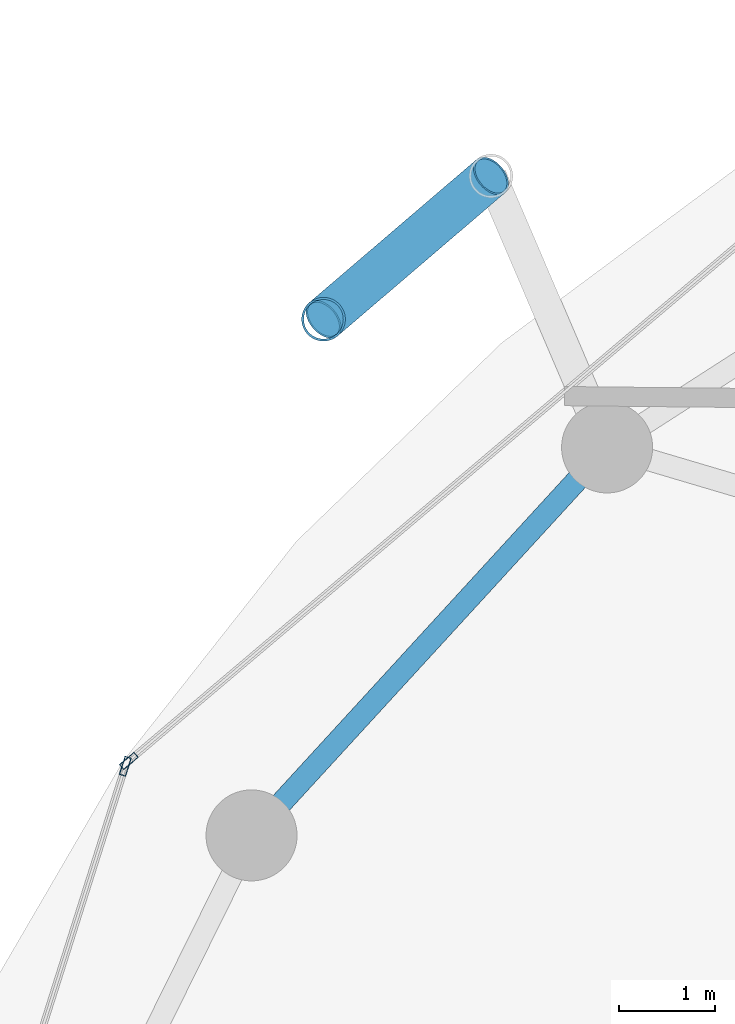
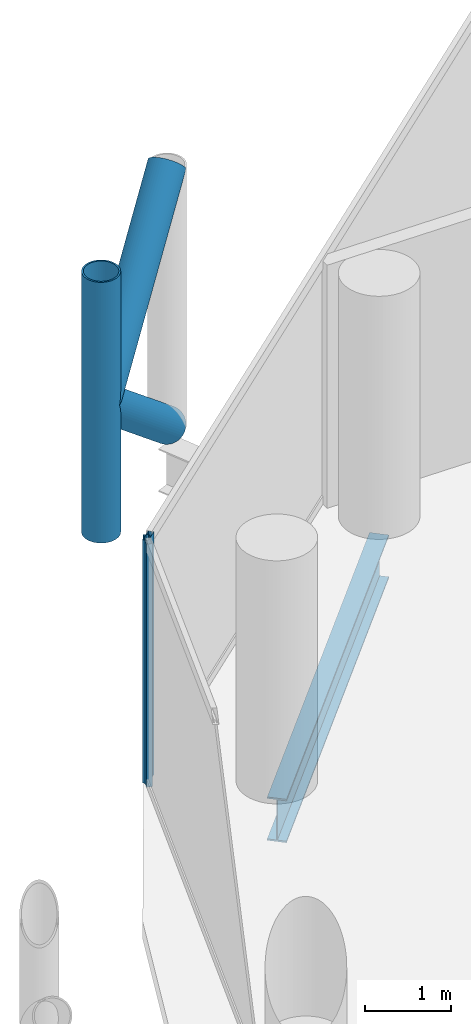
# One storey, part 13 of 26: 5 members, 1 beam, 2 elements without a shape of their own.
"""IFC4 building model written with IfcOpenShell, lengths in metres."""

from ifc_helpers import new_model, si_unit, direction, frame, origin, origin_2d, place, context, subcontext, project, spatial, hollow_rectangle, hollow_circle, i_section, extrude, material, layer, layer_set, material_profile, profile_set, type_object, element, aggregate, save


model = new_model("IFC4")

# Units and contexts
model_context = context("Model", 3, precision=1e-05, world=origin(), true_north=direction((0.0, 1.0)))
body_context = subcontext(model_context, "Body", "Model", "MODEL_VIEW")
ifc_project = project(units=[si_unit("LENGTHUNIT", "METRE"), si_unit("AREAUNIT", "SQUARE_METRE"), si_unit("VOLUMEUNIT", "CUBIC_METRE"), si_unit("PLANEANGLEUNIT", "RADIAN"), si_unit("MASSUNIT", "GRAM", prefix="KILO")], contexts=[model_context])

# Site, building, storey
site_placement = place(None, origin())
site = spatial("IfcSite", under=ifc_project, at=site_placement, CompositionType="ELEMENT")
building_placement = place(site_placement, origin())
building = spatial("IfcBuilding", under=site, at=building_placement, Name="Nuhasar Tower", CompositionType="ELEMENT")
storey_placement = place(building_placement, frame((0.0, 0.0, 181.14990234375)))
storey = spatial("IfcBuildingStorey", under=building, at=storey_placement, Name="L44", CompositionType="ELEMENT", Elevation=181.14990234375)

# Beam
ifc_material_1 = material(Name="Steel S355", Category="steel")
ifc_material_profile_1 = material_profile(ifc_material_1, i_section(OverallWidth=0.22998046875, OverallDepth=0.616943359375, WebThickness=0.01318359375, FlangeThickness=0.022216796875, at=origin_2d()), Name="W24X94")
ifc_profile_set_1 = profile_set([ifc_material_profile_1], Name="Steel S355")
beam_type = type_object("IfcBeamType", Name="BM-RING-W24X94", PredefinedType="SPANDREL", material=ifc_profile_set_1)
beam_placement = place(storey_placement, frame((22.489013671875, 40.6240234375, -0.558837890625), z_axis=(-0.675654174897, -0.737218716491, 0.0), x_axis=(0.737218716491, -0.675654174897, 0.0)))
element("IfcBeam", 1, at=beam_placement, inside=storey, type_object=beam_type, Name="L44 Perimeter Ring Spandrel 10", PredefinedType="SPANDREL", context=body_context, shape_type="SweptSolid", body=[
    extrude(i_section(OverallWidth=0.22998046875, OverallDepth=0.616943359375, WebThickness=0.01318359375, FlangeThickness=0.022216796875, at=origin_2d()), origin(), (0.0, 0.0, 1.0), 5.492431640625),
])

# Curtain wall, member
ifc_material_2 = material(Name="Aluminium 6063-T6", Category="aluminium")
ifc_layer = layer(ifc_material_2, 0.199951171875)
ifc_layer_set = layer_set([ifc_layer], Name="Aluminium 6063-T6")
curtain_wall_type = type_object("IfcCurtainWallType", Name="CW-Z2-HTL", PredefinedType="NOTDEFINED", material=ifc_layer_set)
curtain_wall_1_placement = place(storey_placement, origin())
curtain_wall_1 = element("IfcCurtainWall", 2, at=curtain_wall_1_placement, inside=storey, type_object=curtain_wall_type, Name="L44 Unitised Curtain Wall 05", PredefinedType="NOTDEFINED")
ifc_material_profile_2 = material_profile(ifc_material_2, hollow_rectangle(XDim=0.070068359375, YDim=0.199951171875, WallThickness=0.0048828125, at=origin_2d()), Name="CWM-3")
ifc_profile_set_2 = profile_set([ifc_material_profile_2], Name="Aluminium 6063-T6")
member_type_1 = type_object("IfcMemberType", Name="CW-MUL-S3", PredefinedType="MULLION", material=ifc_profile_set_2)
member_1_placement = place(storey_placement, frame((17.497802734375, 37.3525390625, 0.0), z_axis=(0.0, 0.0, 1.0), x_axis=(0.646374438324, -0.763020370292, 0.0)))
member_1 = element("IfcMember", 3, at=member_1_placement, type_object=member_type_1, Name="CW-Z2 mullion 2", PredefinedType="MULLION", context=body_context, shape_type="SweptSolid", body=[
    extrude(hollow_rectangle(XDim=0.070068359375, YDim=0.199951171875, WallThickness=0.0048828125, at=origin_2d()), origin(), (0.0, 0.0, 1.0), 3.4501953125),
])
aggregate(curtain_wall_1, [member_1])

curtain_wall_2_placement = place(storey_placement, origin())
curtain_wall_2 = element("IfcCurtainWall", 4, at=curtain_wall_2_placement, inside=storey, type_object=curtain_wall_type, Name="L44 Unitised Curtain Wall 06", PredefinedType="NOTDEFINED")
member_2_placement = place(storey_placement, frame((17.46044921875, 37.296630859375, 0.0), z_axis=(0.0, 0.0, 1.0), x_axis=(0.953433389233, -0.301603667577, 0.0)))
member_2 = element("IfcMember", 5, at=member_2_placement, type_object=member_type_1, Name="CW-Z2 mullion 1", PredefinedType="MULLION", context=body_context, shape_type="SweptSolid", body=[
    extrude(hollow_rectangle(XDim=0.070068359375, YDim=0.199951171875, WallThickness=0.0048828125, at=origin_2d()), origin(), (0.0, 0.0, 1.0), 3.4501953125),
])
aggregate(curtain_wall_2, [member_2])

# Members
ifc_material_3 = material(Name="Steel S460", Category="steel")
ifc_material_profile_3 = material_profile(ifc_material_3, hollow_circle(Radius=0.228515625, WallThickness=0.022216796875, at=origin_2d()), Name="HSS457X22.2")
ifc_profile_set_3 = profile_set([ifc_material_profile_3], Name="Steel S460")
member_type_2 = type_object("IfcMemberType", Name="EXO-BRONZE-457", PredefinedType="BRACE", material=ifc_profile_set_3)
member_3_placement = place(storey_placement, frame((19.529052734375, 41.9619140625, 0.0), z_axis=(0.0, 0.0, 1.0), x_axis=(1.0, 0.0, 0.0)))
element("IfcMember", 6, at=member_3_placement, inside=storey, type_object=member_type_2, Name="L44 Exoskeleton Chord Column EC-05B", PredefinedType="BRACE", context=body_context, shape_type="SweptSolid", body=[
    extrude(hollow_circle(Radius=0.228515625, WallThickness=0.022216796875, at=origin_2d()), origin(), (0.0, 0.0, 1.0), 3.7001953125),
])
for number, where, z_axis, x_axis, name in (
    (7, (21.277099609375, 43.45703125, 0.0), (-0.592170370358, -0.506487618445, 0.626741210415), (0.649986859795, -0.759945446788, 0.0), "L44 Bronze Diagrid Brace W1-05"),
    (8, (19.529052734375, 41.9619140625, 1.85009765625), (0.592170370358, 0.506487618445, 0.626741210415), (-0.649986859795, 0.759945446788, 0.0), "L44 Bronze Diagrid Brace W2-05"),
):
    element("IfcMember", number, at=place(storey_placement, frame(where, z_axis=z_axis, x_axis=x_axis)), inside=storey, type_object=member_type_2, Name=name, PredefinedType="BRACE", context=body_context, shape_type="SweptSolid", body=[
        extrude(hollow_circle(Radius=0.228515625, WallThickness=0.022216796875, at=origin_2d()), origin(), (0.0, 0.0, 1.0), 2.951904296875),
    ])

save(model, "model.ifc")
